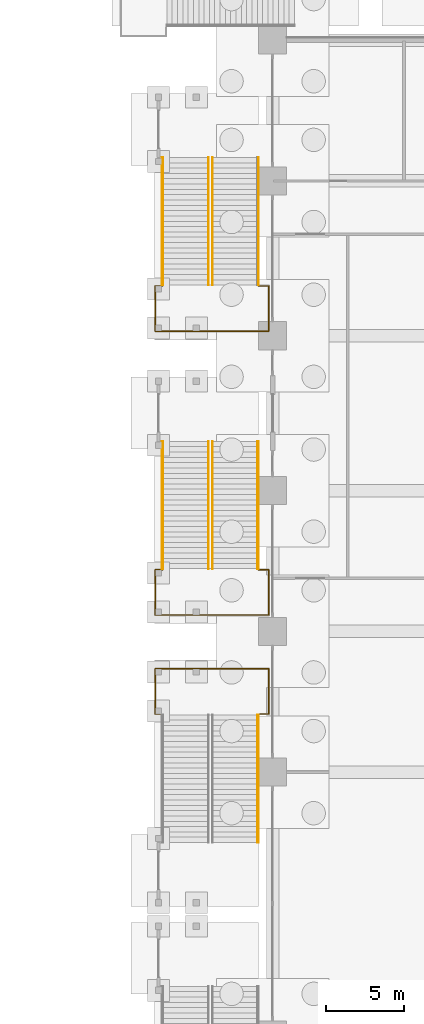
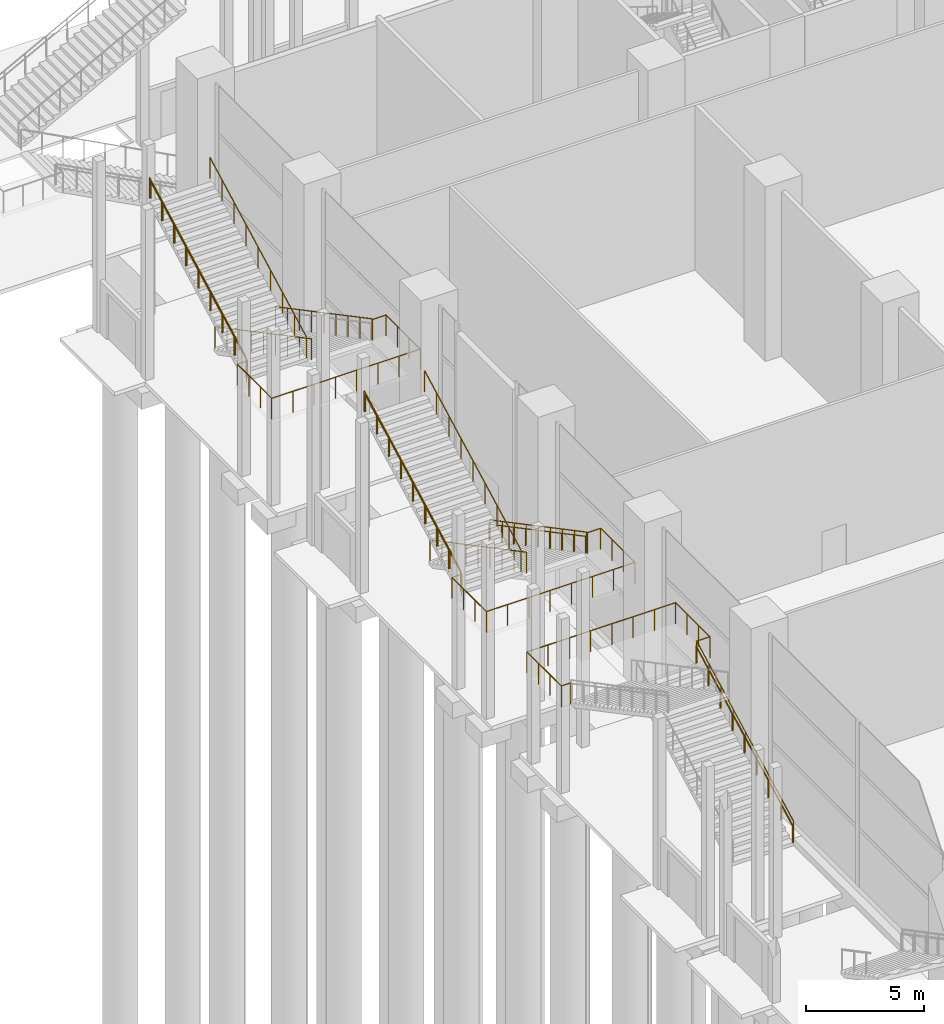
# One storey, part 59 of 72: 16 railings.
"""IFC4 building model written with IfcOpenShell, lengths in metres."""

from ifc_helpers import new_model, si_unit, direction, frame, origin, origin_2d, place, context, subcontext, project, spatial, circle, extrude, material, type_object, element, save


model = new_model("IFC4")

# Units and contexts
model_context = context("Model", 3, precision=1e-05, world=origin(), true_north=direction((0.0, 1.0)))
body_context = subcontext(model_context, "Body", "Model", "MODEL_VIEW")
ifc_project = project(units=[si_unit("LENGTHUNIT", "METRE"), si_unit("AREAUNIT", "SQUARE_METRE"), si_unit("VOLUMEUNIT", "CUBIC_METRE"), si_unit("PLANEANGLEUNIT", "RADIAN"), si_unit("MASSUNIT", "GRAM", prefix="KILO")], contexts=[model_context])

# Site, building, storey
site_placement = place(None, origin())
site = spatial("IfcSite", under=ifc_project, at=site_placement, CompositionType="ELEMENT")
building_placement = place(site_placement, origin())
building = spatial("IfcBuilding", under=site, at=building_placement, Name="Candeia Pilgrim Tower and Theatre", CompositionType="ELEMENT")
storey_placement = place(building_placement, origin())
storey = spatial("IfcBuildingStorey", under=building, at=storey_placement, Name="L00", CompositionType="ELEMENT", Elevation=0.0)

# Railings
ifc_material_1 = material(Name="Stainless steel balustrade", Category="steel")
railing_type_1 = type_object("IfcRailingType", Name="RL-GUARD-1100", PredefinedType="GUARDRAIL", material=ifc_material_1)
railing_1_placement = place(storey_placement, frame((57.89990234375, 93.5, 0.179931640625)))
element("IfcRailing", 1, at=railing_1_placement, inside=storey, type_object=railing_type_1, Name="L00 ES12 stair guard 3", PredefinedType="GUARDRAIL", context=body_context, shape_type="SweptSolid", body=[
    extrude(circle(Radius=0.02392578125, at=origin_2d()), frame((0.0, 0.0, 1.076171875), z_axis=(0.0, 0.883782770755, 0.467897439742), x_axis=(-1.0, 0.0, 0.0)), (0.0, 0.0, 1.0), 9.23291015625),
    extrude(circle(Radius=0.02099609375, at=origin_2d()), origin(), (0.0, 0.0, 1.0), 1.052001953125),
    extrude(circle(Radius=0.02099609375, at=origin_2d()), frame((0.0, 1.02001953125, 0.5400390625)), (0.0, 0.0, 1.0), 1.052001953125),
    extrude(circle(Radius=0.02099609375, at=origin_2d()), frame((0.0, 2.0400390625, 1.080078125)), (0.0, 0.0, 1.0), 1.052001953125),
    extrude(circle(Radius=0.02099609375, at=origin_2d()), frame((0.0, 3.06005859375, 1.6201171875)), (0.0, 0.0, 1.0), 1.052001953125),
    extrude(circle(Radius=0.02099609375, at=origin_2d()), frame((0.0, 4.080078125, 2.16015625)), (0.0, 0.0, 1.0), 1.052001953125),
    extrude(circle(Radius=0.02099609375, at=origin_2d()), frame((0.0, 5.099853515625, 2.699951171875)), (0.0, 0.0, 1.0), 1.052001953125),
    extrude(circle(Radius=0.02099609375, at=origin_2d()), frame((0.0, 6.119873046875, 3.239990234375)), (0.0, 0.0, 1.0), 1.052001953125),
    extrude(circle(Radius=0.02099609375, at=origin_2d()), frame((0.0, 7.139892578125, 3.780029296875)), (0.0, 0.0, 1.0), 1.052001953125),
    extrude(circle(Radius=0.02099609375, at=origin_2d()), frame((0.0, 8.159912109375, 4.320068359375)), (0.0, 0.0, 1.0), 1.052001953125),
])
railing_2_placement = place(storey_placement, frame((57.89990234375, 101.7099609375, 4.5)))
element("IfcRailing", 2, at=railing_2_placement, inside=storey, type_object=railing_type_1, Name="L00 ES12 stair guard 5", PredefinedType="GUARDRAIL", context=body_context, shape_type="SweptSolid", body=[
    extrude(circle(Radius=0.02392578125, at=origin_2d()), frame((0.0, 0.0, 1.076171875), z_axis=(1.0, 0.0, 0.0), x_axis=(0.0, 1.0, 0.0)), (0.0, 0.0, 1.0), 0.650146484375),
    extrude(circle(Radius=0.02392578125, at=origin_2d()), frame((0.650146484375, 0.0, 1.076171875), z_axis=(0.0, 1.0, 0.0), x_axis=(-1.0, 0.0, 0.0)), (0.0, 0.0, 1.0), 2.900146484375),
    extrude(circle(Radius=0.02392578125, at=origin_2d()), frame((0.650146484375, 2.900146484375, 1.076171875), z_axis=(-1.0, 0.0, 0.0), x_axis=(0.0, -1.0, 0.0)), (0.0, 0.0, 1.0), 7.25),
    extrude(circle(Radius=0.02392578125, at=origin_2d()), frame((-6.599853515625, 2.900146484375, 1.076171875), z_axis=(0.0, -1.0, 0.0), x_axis=(1.0, 0.0, 0.0)), (0.0, 0.0, 1.0), 2.900146484375),
    extrude(circle(Radius=0.02392578125, at=origin_2d()), frame((-6.599853515625, 0.0, 1.076171875), z_axis=(1.0, 0.0, 0.0), x_axis=(0.0, 1.0, 0.0)), (0.0, 0.0, 1.0), 0.449951171875),
    extrude(circle(Radius=0.02099609375, at=origin_2d()), origin(), (0.0, 0.0, 1.0), 1.052001953125),
    extrude(circle(Radius=0.02099609375, at=origin_2d()), frame((0.650146484375, 0.0, 0.0)), (0.0, 0.0, 1.0), 1.052001953125),
    extrude(circle(Radius=0.02099609375, at=origin_2d()), frame((0.650146484375, 0.966796875, 0.0)), (0.0, 0.0, 1.0), 1.052001953125),
    extrude(circle(Radius=0.02099609375, at=origin_2d()), frame((0.650146484375, 1.933349609375, 0.0)), (0.0, 0.0, 1.0), 1.052001953125),
    extrude(circle(Radius=0.02099609375, at=origin_2d()), frame((0.650146484375, 2.900146484375, 0.0)), (0.0, 0.0, 1.0), 1.052001953125),
    extrude(circle(Radius=0.02099609375, at=origin_2d()), frame((-0.385498046875, 2.900146484375, 0.0)), (0.0, 0.0, 1.0), 1.052001953125),
    extrude(circle(Radius=0.02099609375, at=origin_2d()), frame((-1.42138671875, 2.900146484375, 0.0)), (0.0, 0.0, 1.0), 1.052001953125),
    extrude(circle(Radius=0.02099609375, at=origin_2d()), frame((-2.45703125, 2.900146484375, 0.0)), (0.0, 0.0, 1.0), 1.052001953125),
    extrude(circle(Radius=0.02099609375, at=origin_2d()), frame((-3.49267578125, 2.900146484375, 0.0)), (0.0, 0.0, 1.0), 1.052001953125),
    extrude(circle(Radius=0.02099609375, at=origin_2d()), frame((-4.5283203125, 2.900146484375, 0.0)), (0.0, 0.0, 1.0), 1.052001953125),
    extrude(circle(Radius=0.02099609375, at=origin_2d()), frame((-5.564208984375, 2.900146484375, 0.0)), (0.0, 0.0, 1.0), 1.052001953125),
    extrude(circle(Radius=0.02099609375, at=origin_2d()), frame((-6.599853515625, 2.900146484375, 0.0)), (0.0, 0.0, 1.0), 1.052001953125),
    extrude(circle(Radius=0.02099609375, at=origin_2d()), frame((-6.599853515625, 1.933349609375, 0.0)), (0.0, 0.0, 1.0), 1.052001953125),
    extrude(circle(Radius=0.02099609375, at=origin_2d()), frame((-6.599853515625, 0.966796875, 0.0)), (0.0, 0.0, 1.0), 1.052001953125),
    extrude(circle(Radius=0.02099609375, at=origin_2d()), frame((-6.599853515625, 0.0, 0.0)), (0.0, 0.0, 1.0), 1.052001953125),
    extrude(circle(Radius=0.02099609375, at=origin_2d()), frame((-6.14990234375, 0.0, 0.0)), (0.0, 0.0, 1.0), 1.052001953125),
])
railing_3_placement = place(storey_placement, frame((54.949951171875, 137.300048828125, 0.179931640625)))
element("IfcRailing", 3, at=railing_3_placement, inside=storey, type_object=railing_type_1, Name="L00 ES13 stair guard 1", PredefinedType="GUARDRAIL", context=body_context, shape_type="SweptSolid", body=[
    extrude(circle(Radius=0.02392578125, at=origin_2d()), frame((0.0, 0.0, 1.076171875), z_axis=(0.0, -0.883788559524, 0.467886505528), x_axis=(1.0, 0.0, 0.0)), (0.0, 0.0, 1.0), 9.233154296875),
    extrude(circle(Radius=0.02099609375, at=origin_2d()), origin(), (0.0, 0.0, 1.0), 1.052001953125),
    extrude(circle(Radius=0.02099609375, at=origin_2d()), frame((0.0, -1.02001953125, 0.5400390625)), (0.0, 0.0, 1.0), 1.052001953125),
    extrude(circle(Radius=0.02099609375, at=origin_2d()), frame((0.0, -2.0400390625, 1.080078125)), (0.0, 0.0, 1.0), 1.052001953125),
    extrude(circle(Radius=0.02099609375, at=origin_2d()), frame((0.0, -3.06005859375, 1.6201171875)), (0.0, 0.0, 1.0), 1.052001953125),
    extrude(circle(Radius=0.02099609375, at=origin_2d()), frame((0.0, -4.080078125, 2.16015625)), (0.0, 0.0, 1.0), 1.052001953125),
    extrude(circle(Radius=0.02099609375, at=origin_2d()), frame((0.0, -5.10009765625, 2.699951171875)), (0.0, 0.0, 1.0), 1.052001953125),
    extrude(circle(Radius=0.02099609375, at=origin_2d()), frame((0.0, -6.1201171875, 3.239990234375)), (0.0, 0.0, 1.0), 1.052001953125),
    extrude(circle(Radius=0.02099609375, at=origin_2d()), frame((0.0, -7.14013671875, 3.780029296875)), (0.0, 0.0, 1.0), 1.052001953125),
    extrude(circle(Radius=0.02099609375, at=origin_2d()), frame((0.0, -8.16015625, 4.320068359375)), (0.0, 0.0, 1.0), 1.052001953125),
])
railing_4_placement = place(storey_placement, frame((54.699951171875, 129.139892578125, 4.679931640625)))
element("IfcRailing", 4, at=railing_4_placement, inside=storey, type_object=railing_type_1, Name="L00 ES13 stair guard 2", PredefinedType="GUARDRAIL", context=body_context, shape_type="SweptSolid", body=[
    extrude(circle(Radius=0.02392578125, at=origin_2d()), frame((0.0, 0.0, 1.076171875), z_axis=(0.0, 0.883788559524, 0.467886505528), x_axis=(-1.0, 0.0, 0.0)), (0.0, 0.0, 1.0), 9.233154296875),
    extrude(circle(Radius=0.02099609375, at=origin_2d()), origin(), (0.0, 0.0, 1.0), 1.052001953125),
    extrude(circle(Radius=0.02099609375, at=origin_2d()), frame((0.0, 1.02001953125, 0.5400390625)), (0.0, 0.0, 1.0), 1.052001953125),
    extrude(circle(Radius=0.02099609375, at=origin_2d()), frame((0.0, 2.0400390625, 1.080078125)), (0.0, 0.0, 1.0), 1.052001953125),
    extrude(circle(Radius=0.02099609375, at=origin_2d()), frame((0.0, 3.06005859375, 1.6201171875)), (0.0, 0.0, 1.0), 1.052001953125),
    extrude(circle(Radius=0.02099609375, at=origin_2d()), frame((0.0, 4.080078125, 2.16015625)), (0.0, 0.0, 1.0), 1.052001953125),
    extrude(circle(Radius=0.02099609375, at=origin_2d()), frame((0.0, 5.10009765625, 2.699951171875)), (0.0, 0.0, 1.0), 1.052001953125),
    extrude(circle(Radius=0.02099609375, at=origin_2d()), frame((0.0, 6.1201171875, 3.239990234375)), (0.0, 0.0, 1.0), 1.052001953125),
    extrude(circle(Radius=0.02099609375, at=origin_2d()), frame((0.0, 7.14013671875, 3.780029296875)), (0.0, 0.0, 1.0), 1.052001953125),
    extrude(circle(Radius=0.02099609375, at=origin_2d()), frame((0.0, 8.16015625, 4.320068359375)), (0.0, 0.0, 1.0), 1.052001953125),
])
railing_5_placement = place(storey_placement, frame((57.89990234375, 137.300048828125, 0.179931640625)))
element("IfcRailing", 5, at=railing_5_placement, inside=storey, type_object=railing_type_1, Name="L00 ES13 stair guard 3", PredefinedType="GUARDRAIL", context=body_context, shape_type="SweptSolid", body=[
    extrude(circle(Radius=0.02392578125, at=origin_2d()), frame((0.0, 0.0, 1.076171875), z_axis=(0.0, -0.883788559524, 0.467886505528), x_axis=(1.0, 0.0, 0.0)), (0.0, 0.0, 1.0), 9.233154296875),
    extrude(circle(Radius=0.02099609375, at=origin_2d()), origin(), (0.0, 0.0, 1.0), 1.052001953125),
    extrude(circle(Radius=0.02099609375, at=origin_2d()), frame((0.0, -1.02001953125, 0.5400390625)), (0.0, 0.0, 1.0), 1.052001953125),
    extrude(circle(Radius=0.02099609375, at=origin_2d()), frame((0.0, -2.0400390625, 1.080078125)), (0.0, 0.0, 1.0), 1.052001953125),
    extrude(circle(Radius=0.02099609375, at=origin_2d()), frame((0.0, -3.06005859375, 1.6201171875)), (0.0, 0.0, 1.0), 1.052001953125),
    extrude(circle(Radius=0.02099609375, at=origin_2d()), frame((0.0, -4.080078125, 2.16015625)), (0.0, 0.0, 1.0), 1.052001953125),
    extrude(circle(Radius=0.02099609375, at=origin_2d()), frame((0.0, -5.10009765625, 2.699951171875)), (0.0, 0.0, 1.0), 1.052001953125),
    extrude(circle(Radius=0.02099609375, at=origin_2d()), frame((0.0, -6.1201171875, 3.239990234375)), (0.0, 0.0, 1.0), 1.052001953125),
    extrude(circle(Radius=0.02099609375, at=origin_2d()), frame((0.0, -7.14013671875, 3.780029296875)), (0.0, 0.0, 1.0), 1.052001953125),
    extrude(circle(Radius=0.02099609375, at=origin_2d()), frame((0.0, -8.16015625, 4.320068359375)), (0.0, 0.0, 1.0), 1.052001953125),
])
railing_6_placement = place(storey_placement, frame((51.75, 129.139892578125, 4.679931640625)))
element("IfcRailing", 6, at=railing_6_placement, inside=storey, type_object=railing_type_1, Name="L00 ES13 stair guard 4", PredefinedType="GUARDRAIL", context=body_context, shape_type="SweptSolid", body=[
    extrude(circle(Radius=0.02392578125, at=origin_2d()), frame((0.0, 0.0, 1.076171875), z_axis=(0.0, 0.883788559524, 0.467886505528), x_axis=(-1.0, 0.0, 0.0)), (0.0, 0.0, 1.0), 9.233154296875),
    extrude(circle(Radius=0.02099609375, at=origin_2d()), origin(), (0.0, 0.0, 1.0), 1.052001953125),
    extrude(circle(Radius=0.02099609375, at=origin_2d()), frame((0.0, 1.02001953125, 0.5400390625)), (0.0, 0.0, 1.0), 1.052001953125),
    extrude(circle(Radius=0.02099609375, at=origin_2d()), frame((0.0, 2.0400390625, 1.080078125)), (0.0, 0.0, 1.0), 1.052001953125),
    extrude(circle(Radius=0.02099609375, at=origin_2d()), frame((0.0, 3.06005859375, 1.6201171875)), (0.0, 0.0, 1.0), 1.052001953125),
    extrude(circle(Radius=0.02099609375, at=origin_2d()), frame((0.0, 4.080078125, 2.16015625)), (0.0, 0.0, 1.0), 1.052001953125),
    extrude(circle(Radius=0.02099609375, at=origin_2d()), frame((0.0, 5.10009765625, 2.699951171875)), (0.0, 0.0, 1.0), 1.052001953125),
    extrude(circle(Radius=0.02099609375, at=origin_2d()), frame((0.0, 6.1201171875, 3.239990234375)), (0.0, 0.0, 1.0), 1.052001953125),
    extrude(circle(Radius=0.02099609375, at=origin_2d()), frame((0.0, 7.14013671875, 3.780029296875)), (0.0, 0.0, 1.0), 1.052001953125),
    extrude(circle(Radius=0.02099609375, at=origin_2d()), frame((0.0, 8.16015625, 4.320068359375)), (0.0, 0.0, 1.0), 1.052001953125),
])
railing_7_placement = place(storey_placement, frame((57.89990234375, 129.090087890625, 4.5)))
element("IfcRailing", 7, at=railing_7_placement, inside=storey, type_object=railing_type_1, Name="L00 ES13 stair guard 5", PredefinedType="GUARDRAIL", context=body_context, shape_type="SweptSolid", body=[
    extrude(circle(Radius=0.02392578125, at=origin_2d()), frame((0.0, 0.0, 1.076171875), z_axis=(1.0, 0.0, 0.0), x_axis=(0.0, 1.0, 0.0)), (0.0, 0.0, 1.0), 0.650146484375),
    extrude(circle(Radius=0.02392578125, at=origin_2d()), frame((0.650146484375, 0.0, 1.076171875), z_axis=(0.0, -1.0, 0.0), x_axis=(1.0, 0.0, 0.0)), (0.0, 0.0, 1.0), 2.900146484375),
    extrude(circle(Radius=0.02392578125, at=origin_2d()), frame((0.650146484375, -2.900146484375, 1.076171875), z_axis=(-1.0, 0.0, 0.0), x_axis=(0.0, -1.0, 0.0)), (0.0, 0.0, 1.0), 7.25),
    extrude(circle(Radius=0.02392578125, at=origin_2d()), frame((-6.599853515625, -2.900146484375, 1.076171875), z_axis=(0.0, 1.0, 0.0), x_axis=(-1.0, 0.0, 0.0)), (0.0, 0.0, 1.0), 2.900146484375),
    extrude(circle(Radius=0.02392578125, at=origin_2d()), frame((-6.599853515625, 0.0, 1.076171875), z_axis=(1.0, 0.0, 0.0), x_axis=(0.0, 1.0, 0.0)), (0.0, 0.0, 1.0), 0.449951171875),
    extrude(circle(Radius=0.02099609375, at=origin_2d()), origin(), (0.0, 0.0, 1.0), 1.052001953125),
    extrude(circle(Radius=0.02099609375, at=origin_2d()), frame((0.650146484375, 0.0, 0.0)), (0.0, 0.0, 1.0), 1.052001953125),
    extrude(circle(Radius=0.02099609375, at=origin_2d()), frame((0.650146484375, -0.966796875, 0.0)), (0.0, 0.0, 1.0), 1.052001953125),
    extrude(circle(Radius=0.02099609375, at=origin_2d()), frame((0.650146484375, -1.933349609375, 0.0)), (0.0, 0.0, 1.0), 1.052001953125),
    extrude(circle(Radius=0.02099609375, at=origin_2d()), frame((0.650146484375, -2.900146484375, 0.0)), (0.0, 0.0, 1.0), 1.052001953125),
    extrude(circle(Radius=0.02099609375, at=origin_2d()), frame((-0.385498046875, -2.900146484375, 0.0)), (0.0, 0.0, 1.0), 1.052001953125),
    extrude(circle(Radius=0.02099609375, at=origin_2d()), frame((-1.42138671875, -2.900146484375, 0.0)), (0.0, 0.0, 1.0), 1.052001953125),
    extrude(circle(Radius=0.02099609375, at=origin_2d()), frame((-2.45703125, -2.900146484375, 0.0)), (0.0, 0.0, 1.0), 1.052001953125),
    extrude(circle(Radius=0.02099609375, at=origin_2d()), frame((-3.49267578125, -2.900146484375, 0.0)), (0.0, 0.0, 1.0), 1.052001953125),
    extrude(circle(Radius=0.02099609375, at=origin_2d()), frame((-4.5283203125, -2.900146484375, 0.0)), (0.0, 0.0, 1.0), 1.052001953125),
    extrude(circle(Radius=0.02099609375, at=origin_2d()), frame((-5.564208984375, -2.900146484375, 0.0)), (0.0, 0.0, 1.0), 1.052001953125),
    extrude(circle(Radius=0.02099609375, at=origin_2d()), frame((-6.599853515625, -2.900146484375, 0.0)), (0.0, 0.0, 1.0), 1.052001953125),
    extrude(circle(Radius=0.02099609375, at=origin_2d()), frame((-6.599853515625, -1.933349609375, 0.0)), (0.0, 0.0, 1.0), 1.052001953125),
    extrude(circle(Radius=0.02099609375, at=origin_2d()), frame((-6.599853515625, -0.966796875, 0.0)), (0.0, 0.0, 1.0), 1.052001953125),
    extrude(circle(Radius=0.02099609375, at=origin_2d()), frame((-6.599853515625, 0.0, 0.0)), (0.0, 0.0, 1.0), 1.052001953125),
    extrude(circle(Radius=0.02099609375, at=origin_2d()), frame((-6.14990234375, 0.0, 0.0)), (0.0, 0.0, 1.0), 1.052001953125),
])
railing_8_placement = place(storey_placement, frame((54.949951171875, 119.14990234375, 0.179931640625)))
element("IfcRailing", 8, at=railing_8_placement, inside=storey, type_object=railing_type_1, Name="L00 ES15 stair guard 1", PredefinedType="GUARDRAIL", context=body_context, shape_type="SweptSolid", body=[
    extrude(circle(Radius=0.02392578125, at=origin_2d()), frame((0.0, 0.0, 1.076171875), z_axis=(0.0, -0.883782770755, 0.467897439742), x_axis=(1.0, 0.0, 0.0)), (0.0, 0.0, 1.0), 9.23291015625),
    extrude(circle(Radius=0.02099609375, at=origin_2d()), origin(), (0.0, 0.0, 1.0), 1.052001953125),
    extrude(circle(Radius=0.02099609375, at=origin_2d()), frame((0.0, -1.02001953125, 0.5400390625)), (0.0, 0.0, 1.0), 1.052001953125),
    extrude(circle(Radius=0.02099609375, at=origin_2d()), frame((0.0, -2.0400390625, 1.080078125)), (0.0, 0.0, 1.0), 1.052001953125),
    extrude(circle(Radius=0.02099609375, at=origin_2d()), frame((0.0, -3.06005859375, 1.6201171875)), (0.0, 0.0, 1.0), 1.052001953125),
    extrude(circle(Radius=0.02099609375, at=origin_2d()), frame((0.0, -4.080078125, 2.16015625)), (0.0, 0.0, 1.0), 1.052001953125),
    extrude(circle(Radius=0.02099609375, at=origin_2d()), frame((0.0, -5.099853515625, 2.699951171875)), (0.0, 0.0, 1.0), 1.052001953125),
    extrude(circle(Radius=0.02099609375, at=origin_2d()), frame((0.0, -6.119873046875, 3.239990234375)), (0.0, 0.0, 1.0), 1.052001953125),
    extrude(circle(Radius=0.02099609375, at=origin_2d()), frame((0.0, -7.139892578125, 3.780029296875)), (0.0, 0.0, 1.0), 1.052001953125),
    extrude(circle(Radius=0.02099609375, at=origin_2d()), frame((0.0, -8.159912109375, 4.320068359375)), (0.0, 0.0, 1.0), 1.052001953125),
])
railing_9_placement = place(storey_placement, frame((54.699951171875, 110.989990234375, 4.679931640625)))
element("IfcRailing", 9, at=railing_9_placement, inside=storey, type_object=railing_type_1, Name="L00 ES15 stair guard 2", PredefinedType="GUARDRAIL", context=body_context, shape_type="SweptSolid", body=[
    extrude(circle(Radius=0.02392578125, at=origin_2d()), frame((0.0, 0.0, 1.076171875), z_axis=(0.0, 0.883782770755, 0.467897439742), x_axis=(-1.0, 0.0, 0.0)), (0.0, 0.0, 1.0), 9.23291015625),
    extrude(circle(Radius=0.02099609375, at=origin_2d()), origin(), (0.0, 0.0, 1.0), 1.052001953125),
    extrude(circle(Radius=0.02099609375, at=origin_2d()), frame((0.0, 1.02001953125, 0.5400390625)), (0.0, 0.0, 1.0), 1.052001953125),
    extrude(circle(Radius=0.02099609375, at=origin_2d()), frame((0.0, 2.0400390625, 1.080078125)), (0.0, 0.0, 1.0), 1.052001953125),
    extrude(circle(Radius=0.02099609375, at=origin_2d()), frame((0.0, 3.06005859375, 1.6201171875)), (0.0, 0.0, 1.0), 1.052001953125),
    extrude(circle(Radius=0.02099609375, at=origin_2d()), frame((0.0, 4.080078125, 2.16015625)), (0.0, 0.0, 1.0), 1.052001953125),
    extrude(circle(Radius=0.02099609375, at=origin_2d()), frame((0.0, 5.099853515625, 2.699951171875)), (0.0, 0.0, 1.0), 1.052001953125),
    extrude(circle(Radius=0.02099609375, at=origin_2d()), frame((0.0, 6.119873046875, 3.239990234375)), (0.0, 0.0, 1.0), 1.052001953125),
    extrude(circle(Radius=0.02099609375, at=origin_2d()), frame((0.0, 7.139892578125, 3.780029296875)), (0.0, 0.0, 1.0), 1.052001953125),
    extrude(circle(Radius=0.02099609375, at=origin_2d()), frame((0.0, 8.159912109375, 4.320068359375)), (0.0, 0.0, 1.0), 1.052001953125),
])
railing_10_placement = place(storey_placement, frame((57.89990234375, 119.14990234375, 0.179931640625)))
element("IfcRailing", 10, at=railing_10_placement, inside=storey, type_object=railing_type_1, Name="L00 ES15 stair guard 3", PredefinedType="GUARDRAIL", context=body_context, shape_type="SweptSolid", body=[
    extrude(circle(Radius=0.02392578125, at=origin_2d()), frame((0.0, 0.0, 1.076171875), z_axis=(0.0, -0.883782770755, 0.467897439742), x_axis=(1.0, 0.0, 0.0)), (0.0, 0.0, 1.0), 9.23291015625),
    extrude(circle(Radius=0.02099609375, at=origin_2d()), origin(), (0.0, 0.0, 1.0), 1.052001953125),
    extrude(circle(Radius=0.02099609375, at=origin_2d()), frame((0.0, -1.02001953125, 0.5400390625)), (0.0, 0.0, 1.0), 1.052001953125),
    extrude(circle(Radius=0.02099609375, at=origin_2d()), frame((0.0, -2.0400390625, 1.080078125)), (0.0, 0.0, 1.0), 1.052001953125),
    extrude(circle(Radius=0.02099609375, at=origin_2d()), frame((0.0, -3.06005859375, 1.6201171875)), (0.0, 0.0, 1.0), 1.052001953125),
    extrude(circle(Radius=0.02099609375, at=origin_2d()), frame((0.0, -4.080078125, 2.16015625)), (0.0, 0.0, 1.0), 1.052001953125),
    extrude(circle(Radius=0.02099609375, at=origin_2d()), frame((0.0, -5.099853515625, 2.699951171875)), (0.0, 0.0, 1.0), 1.052001953125),
    extrude(circle(Radius=0.02099609375, at=origin_2d()), frame((0.0, -6.119873046875, 3.239990234375)), (0.0, 0.0, 1.0), 1.052001953125),
    extrude(circle(Radius=0.02099609375, at=origin_2d()), frame((0.0, -7.139892578125, 3.780029296875)), (0.0, 0.0, 1.0), 1.052001953125),
    extrude(circle(Radius=0.02099609375, at=origin_2d()), frame((0.0, -8.159912109375, 4.320068359375)), (0.0, 0.0, 1.0), 1.052001953125),
])
railing_11_placement = place(storey_placement, frame((51.75, 110.989990234375, 4.679931640625)))
element("IfcRailing", 11, at=railing_11_placement, inside=storey, type_object=railing_type_1, Name="L00 ES15 stair guard 4", PredefinedType="GUARDRAIL", context=body_context, shape_type="SweptSolid", body=[
    extrude(circle(Radius=0.02392578125, at=origin_2d()), frame((0.0, 0.0, 1.076171875), z_axis=(0.0, 0.883782770755, 0.467897439742), x_axis=(-1.0, 0.0, 0.0)), (0.0, 0.0, 1.0), 9.23291015625),
    extrude(circle(Radius=0.02099609375, at=origin_2d()), origin(), (0.0, 0.0, 1.0), 1.052001953125),
    extrude(circle(Radius=0.02099609375, at=origin_2d()), frame((0.0, 1.02001953125, 0.5400390625)), (0.0, 0.0, 1.0), 1.052001953125),
    extrude(circle(Radius=0.02099609375, at=origin_2d()), frame((0.0, 2.0400390625, 1.080078125)), (0.0, 0.0, 1.0), 1.052001953125),
    extrude(circle(Radius=0.02099609375, at=origin_2d()), frame((0.0, 3.06005859375, 1.6201171875)), (0.0, 0.0, 1.0), 1.052001953125),
    extrude(circle(Radius=0.02099609375, at=origin_2d()), frame((0.0, 4.080078125, 2.16015625)), (0.0, 0.0, 1.0), 1.052001953125),
    extrude(circle(Radius=0.02099609375, at=origin_2d()), frame((0.0, 5.099853515625, 2.699951171875)), (0.0, 0.0, 1.0), 1.052001953125),
    extrude(circle(Radius=0.02099609375, at=origin_2d()), frame((0.0, 6.119873046875, 3.239990234375)), (0.0, 0.0, 1.0), 1.052001953125),
    extrude(circle(Radius=0.02099609375, at=origin_2d()), frame((0.0, 7.139892578125, 3.780029296875)), (0.0, 0.0, 1.0), 1.052001953125),
    extrude(circle(Radius=0.02099609375, at=origin_2d()), frame((0.0, 8.159912109375, 4.320068359375)), (0.0, 0.0, 1.0), 1.052001953125),
])
railing_12_placement = place(storey_placement, frame((57.89990234375, 110.93994140625, 4.5)))
element("IfcRailing", 12, at=railing_12_placement, inside=storey, type_object=railing_type_1, Name="L00 ES15 stair guard 5", PredefinedType="GUARDRAIL", context=body_context, shape_type="SweptSolid", body=[
    extrude(circle(Radius=0.02392578125, at=origin_2d()), frame((0.0, 0.0, 1.076171875), z_axis=(1.0, 0.0, 0.0), x_axis=(0.0, 1.0, 0.0)), (0.0, 0.0, 1.0), 0.650146484375),
    extrude(circle(Radius=0.02392578125, at=origin_2d()), frame((0.650146484375, 0.0, 1.076171875), z_axis=(0.0, -1.0, 0.0), x_axis=(1.0, 0.0, 0.0)), (0.0, 0.0, 1.0), 2.89990234375),
    extrude(circle(Radius=0.02392578125, at=origin_2d()), frame((0.650146484375, -2.89990234375, 1.076171875), z_axis=(-1.0, 0.0, 0.0), x_axis=(0.0, -1.0, 0.0)), (0.0, 0.0, 1.0), 7.25),
    extrude(circle(Radius=0.02392578125, at=origin_2d()), frame((-6.599853515625, -2.89990234375, 1.076171875), z_axis=(0.0, 1.0, 0.0), x_axis=(-1.0, 0.0, 0.0)), (0.0, 0.0, 1.0), 2.89990234375),
    extrude(circle(Radius=0.02392578125, at=origin_2d()), frame((-6.599853515625, 0.0, 1.076171875), z_axis=(1.0, 0.0, 0.0), x_axis=(0.0, 1.0, 0.0)), (0.0, 0.0, 1.0), 0.449951171875),
    extrude(circle(Radius=0.02099609375, at=origin_2d()), origin(), (0.0, 0.0, 1.0), 1.052001953125),
    extrude(circle(Radius=0.02099609375, at=origin_2d()), frame((0.650146484375, 0.0, 0.0)), (0.0, 0.0, 1.0), 1.052001953125),
    extrude(circle(Radius=0.02099609375, at=origin_2d()), frame((0.650146484375, -0.966552734375, 0.0)), (0.0, 0.0, 1.0), 1.052001953125),
    extrude(circle(Radius=0.02099609375, at=origin_2d()), frame((0.650146484375, -1.933349609375, 0.0)), (0.0, 0.0, 1.0), 1.052001953125),
    extrude(circle(Radius=0.02099609375, at=origin_2d()), frame((0.650146484375, -2.89990234375, 0.0)), (0.0, 0.0, 1.0), 1.052001953125),
    extrude(circle(Radius=0.02099609375, at=origin_2d()), frame((-0.385498046875, -2.89990234375, 0.0)), (0.0, 0.0, 1.0), 1.052001953125),
    extrude(circle(Radius=0.02099609375, at=origin_2d()), frame((-1.42138671875, -2.89990234375, 0.0)), (0.0, 0.0, 1.0), 1.052001953125),
    extrude(circle(Radius=0.02099609375, at=origin_2d()), frame((-2.45703125, -2.89990234375, 0.0)), (0.0, 0.0, 1.0), 1.052001953125),
    extrude(circle(Radius=0.02099609375, at=origin_2d()), frame((-3.49267578125, -2.89990234375, 0.0)), (0.0, 0.0, 1.0), 1.052001953125),
    extrude(circle(Radius=0.02099609375, at=origin_2d()), frame((-4.5283203125, -2.89990234375, 0.0)), (0.0, 0.0, 1.0), 1.052001953125),
    extrude(circle(Radius=0.02099609375, at=origin_2d()), frame((-5.564208984375, -2.89990234375, 0.0)), (0.0, 0.0, 1.0), 1.052001953125),
    extrude(circle(Radius=0.02099609375, at=origin_2d()), frame((-6.599853515625, -2.89990234375, 0.0)), (0.0, 0.0, 1.0), 1.052001953125),
    extrude(circle(Radius=0.02099609375, at=origin_2d()), frame((-6.599853515625, -1.933349609375, 0.0)), (0.0, 0.0, 1.0), 1.052001953125),
    extrude(circle(Radius=0.02099609375, at=origin_2d()), frame((-6.599853515625, -0.966552734375, 0.0)), (0.0, 0.0, 1.0), 1.052001953125),
    extrude(circle(Radius=0.02099609375, at=origin_2d()), frame((-6.599853515625, 0.0, 0.0)), (0.0, 0.0, 1.0), 1.052001953125),
    extrude(circle(Radius=0.02099609375, at=origin_2d()), frame((-6.14990234375, 0.0, 0.0)), (0.0, 0.0, 1.0), 1.052001953125),
])
ifc_material_2 = material(Name="Stainless steel handrail", Category="steel")
railing_type_2 = type_object("IfcRailingType", Name="RL-HANDRAIL-900", PredefinedType="HANDRAIL", material=ifc_material_2)
railing_13_placement = place(storey_placement, frame((57.85009765625, 93.5, 0.179931640625)))
element("IfcRailing", 13, at=railing_13_placement, inside=storey, type_object=railing_type_2, Name="L00 ES12 stair handrail 1", PredefinedType="HANDRAIL", context=body_context, shape_type="SweptSolid", body=[
    extrude(circle(Radius=0.02392578125, at=origin_2d()), frame((0.0, 0.0, 0.8759765625), z_axis=(0.0, 0.883782770755, 0.467897439742), x_axis=(-1.0, 0.0, 0.0)), (0.0, 0.0, 1.0), 9.23291015625),
    extrude(circle(Radius=0.02099609375, at=origin_2d()), origin(), (0.0, 0.0, 1.0), 0.851806640625),
    extrude(circle(Radius=0.02099609375, at=origin_2d()), frame((0.0, 1.02001953125, 0.5400390625)), (0.0, 0.0, 1.0), 0.851806640625),
    extrude(circle(Radius=0.02099609375, at=origin_2d()), frame((0.0, 2.0400390625, 1.080078125)), (0.0, 0.0, 1.0), 0.851806640625),
    extrude(circle(Radius=0.02099609375, at=origin_2d()), frame((0.0, 3.06005859375, 1.6201171875)), (0.0, 0.0, 1.0), 0.851806640625),
    extrude(circle(Radius=0.02099609375, at=origin_2d()), frame((0.0, 4.080078125, 2.16015625)), (0.0, 0.0, 1.0), 0.851806640625),
    extrude(circle(Radius=0.02099609375, at=origin_2d()), frame((0.0, 5.099853515625, 2.699951171875)), (0.0, 0.0, 1.0), 0.851806640625),
    extrude(circle(Radius=0.02099609375, at=origin_2d()), frame((0.0, 6.119873046875, 3.239990234375)), (0.0, 0.0, 1.0), 0.851806640625),
    extrude(circle(Radius=0.02099609375, at=origin_2d()), frame((0.0, 7.139892578125, 3.780029296875)), (0.0, 0.0, 1.0), 0.851806640625),
    extrude(circle(Radius=0.02099609375, at=origin_2d()), frame((0.0, 8.159912109375, 4.320068359375)), (0.0, 0.0, 1.0), 0.851806640625),
])
railing_14_placement = place(storey_placement, frame((51.800048828125, 129.139892578125, 4.679931640625)))
element("IfcRailing", 14, at=railing_14_placement, inside=storey, type_object=railing_type_2, Name="L00 ES13 stair handrail 2", PredefinedType="HANDRAIL", context=body_context, shape_type="SweptSolid", body=[
    extrude(circle(Radius=0.02392578125, at=origin_2d()), frame((0.0, 0.0, 0.8759765625), z_axis=(0.0, 0.883788559524, 0.467886505528), x_axis=(-1.0, 0.0, 0.0)), (0.0, 0.0, 1.0), 9.233154296875),
    extrude(circle(Radius=0.02099609375, at=origin_2d()), origin(), (0.0, 0.0, 1.0), 0.851806640625),
    extrude(circle(Radius=0.02099609375, at=origin_2d()), frame((0.0, 1.02001953125, 0.5400390625)), (0.0, 0.0, 1.0), 0.851806640625),
    extrude(circle(Radius=0.02099609375, at=origin_2d()), frame((0.0, 2.0400390625, 1.080078125)), (0.0, 0.0, 1.0), 0.851806640625),
    extrude(circle(Radius=0.02099609375, at=origin_2d()), frame((0.0, 3.06005859375, 1.6201171875)), (0.0, 0.0, 1.0), 0.851806640625),
    extrude(circle(Radius=0.02099609375, at=origin_2d()), frame((0.0, 4.080078125, 2.16015625)), (0.0, 0.0, 1.0), 0.851806640625),
    extrude(circle(Radius=0.02099609375, at=origin_2d()), frame((0.0, 5.10009765625, 2.699951171875)), (0.0, 0.0, 1.0), 0.851806640625),
    extrude(circle(Radius=0.02099609375, at=origin_2d()), frame((0.0, 6.1201171875, 3.239990234375)), (0.0, 0.0, 1.0), 0.851806640625),
    extrude(circle(Radius=0.02099609375, at=origin_2d()), frame((0.0, 7.14013671875, 3.780029296875)), (0.0, 0.0, 1.0), 0.851806640625),
    extrude(circle(Radius=0.02099609375, at=origin_2d()), frame((0.0, 8.16015625, 4.320068359375)), (0.0, 0.0, 1.0), 0.851806640625),
])
railing_15_placement = place(storey_placement, frame((57.85009765625, 119.14990234375, 0.179931640625)))
element("IfcRailing", 15, at=railing_15_placement, inside=storey, type_object=railing_type_2, Name="L00 ES15 stair handrail 1", PredefinedType="HANDRAIL", context=body_context, shape_type="SweptSolid", body=[
    extrude(circle(Radius=0.02392578125, at=origin_2d()), frame((0.0, 0.0, 0.8759765625), z_axis=(0.0, -0.883782770755, 0.467897439742), x_axis=(1.0, 0.0, 0.0)), (0.0, 0.0, 1.0), 9.23291015625),
    extrude(circle(Radius=0.02099609375, at=origin_2d()), origin(), (0.0, 0.0, 1.0), 0.851806640625),
    extrude(circle(Radius=0.02099609375, at=origin_2d()), frame((0.0, -1.02001953125, 0.5400390625)), (0.0, 0.0, 1.0), 0.851806640625),
    extrude(circle(Radius=0.02099609375, at=origin_2d()), frame((0.0, -2.0400390625, 1.080078125)), (0.0, 0.0, 1.0), 0.851806640625),
    extrude(circle(Radius=0.02099609375, at=origin_2d()), frame((0.0, -3.06005859375, 1.6201171875)), (0.0, 0.0, 1.0), 0.851806640625),
    extrude(circle(Radius=0.02099609375, at=origin_2d()), frame((0.0, -4.080078125, 2.16015625)), (0.0, 0.0, 1.0), 0.851806640625),
    extrude(circle(Radius=0.02099609375, at=origin_2d()), frame((0.0, -5.099853515625, 2.699951171875)), (0.0, 0.0, 1.0), 0.851806640625),
    extrude(circle(Radius=0.02099609375, at=origin_2d()), frame((0.0, -6.119873046875, 3.239990234375)), (0.0, 0.0, 1.0), 0.851806640625),
    extrude(circle(Radius=0.02099609375, at=origin_2d()), frame((0.0, -7.139892578125, 3.780029296875)), (0.0, 0.0, 1.0), 0.851806640625),
    extrude(circle(Radius=0.02099609375, at=origin_2d()), frame((0.0, -8.159912109375, 4.320068359375)), (0.0, 0.0, 1.0), 0.851806640625),
])
railing_16_placement = place(storey_placement, frame((51.800048828125, 110.989990234375, 4.679931640625)))
element("IfcRailing", 16, at=railing_16_placement, inside=storey, type_object=railing_type_2, Name="L00 ES15 stair handrail 2", PredefinedType="HANDRAIL", context=body_context, shape_type="SweptSolid", body=[
    extrude(circle(Radius=0.02392578125, at=origin_2d()), frame((0.0, 0.0, 0.8759765625), z_axis=(0.0, 0.883782770755, 0.467897439742), x_axis=(-1.0, 0.0, 0.0)), (0.0, 0.0, 1.0), 9.23291015625),
    extrude(circle(Radius=0.02099609375, at=origin_2d()), origin(), (0.0, 0.0, 1.0), 0.851806640625),
    extrude(circle(Radius=0.02099609375, at=origin_2d()), frame((0.0, 1.02001953125, 0.5400390625)), (0.0, 0.0, 1.0), 0.851806640625),
    extrude(circle(Radius=0.02099609375, at=origin_2d()), frame((0.0, 2.0400390625, 1.080078125)), (0.0, 0.0, 1.0), 0.851806640625),
    extrude(circle(Radius=0.02099609375, at=origin_2d()), frame((0.0, 3.06005859375, 1.6201171875)), (0.0, 0.0, 1.0), 0.851806640625),
    extrude(circle(Radius=0.02099609375, at=origin_2d()), frame((0.0, 4.080078125, 2.16015625)), (0.0, 0.0, 1.0), 0.851806640625),
    extrude(circle(Radius=0.02099609375, at=origin_2d()), frame((0.0, 5.099853515625, 2.699951171875)), (0.0, 0.0, 1.0), 0.851806640625),
    extrude(circle(Radius=0.02099609375, at=origin_2d()), frame((0.0, 6.119873046875, 3.239990234375)), (0.0, 0.0, 1.0), 0.851806640625),
    extrude(circle(Radius=0.02099609375, at=origin_2d()), frame((0.0, 7.139892578125, 3.780029296875)), (0.0, 0.0, 1.0), 0.851806640625),
    extrude(circle(Radius=0.02099609375, at=origin_2d()), frame((0.0, 8.159912109375, 4.320068359375)), (0.0, 0.0, 1.0), 0.851806640625),
])

save(model, "model.ifc")
